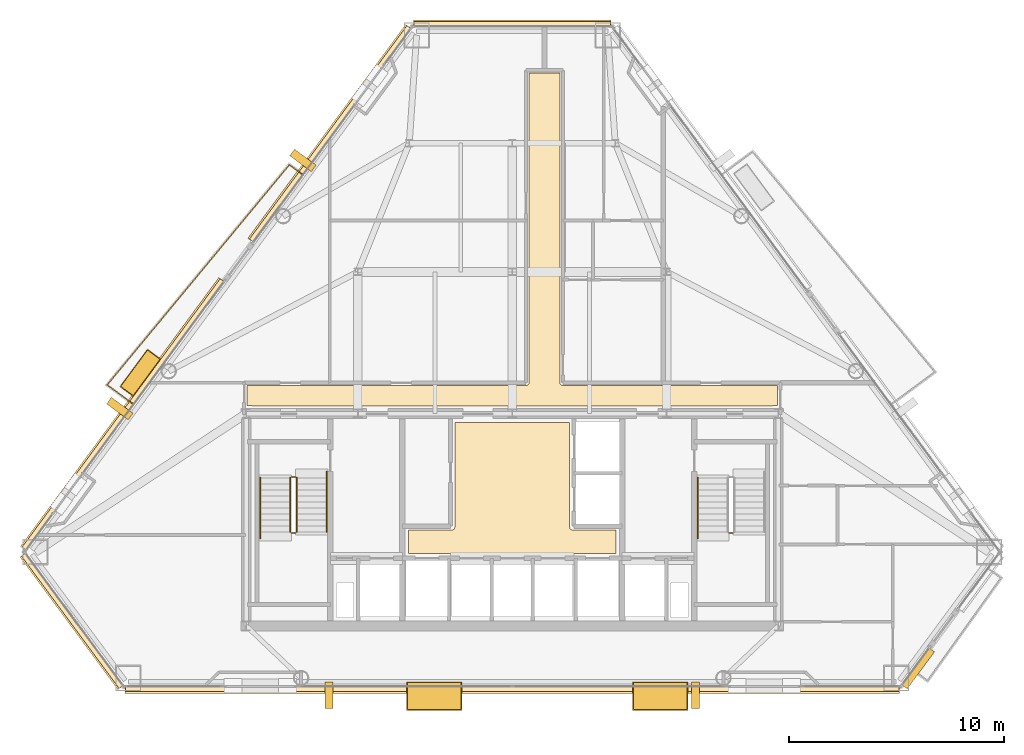
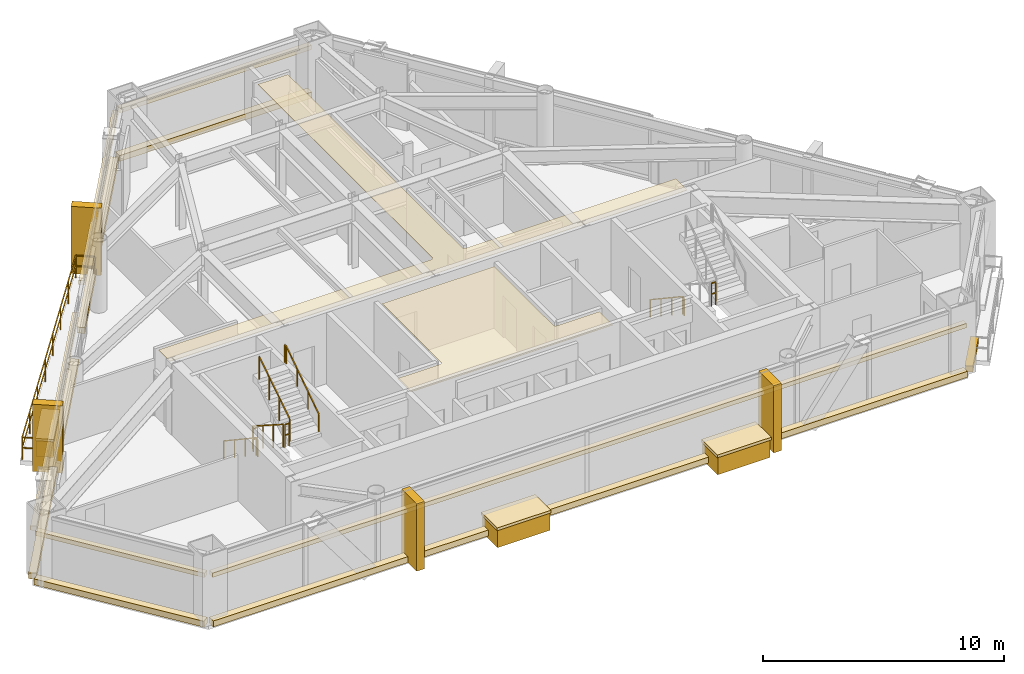
# One storey, part 10 of 11: 23 coverings, 9 railings.
"""IFC4 building model written with IfcOpenShell, lengths in metres."""

from ifc_helpers import new_model, si_unit, direction, frame, origin, origin_2d, place, context, subcontext, project, spatial, polyline, rectangle, outline, extrude, material, layer, layer_set, type_object, element, save


model = new_model("IFC4")

# Units and contexts
model_context = context("Model", 3, precision=1e-05, world=origin(), true_north=direction((0.0, 1.0)))
body_context = subcontext(model_context, "Body", "Model", "MODEL_VIEW")
ifc_project = project(units=[si_unit("LENGTHUNIT", "METRE"), si_unit("AREAUNIT", "SQUARE_METRE"), si_unit("VOLUMEUNIT", "CUBIC_METRE"), si_unit("PLANEANGLEUNIT", "RADIAN"), si_unit("MASSUNIT", "GRAM", prefix="KILO")], contexts=[model_context])

# Site, building, storey
site_placement = place(None, origin())
site = spatial("IfcSite", under=ifc_project, at=site_placement, CompositionType="ELEMENT")
building_placement = place(site_placement, origin())
building = spatial("IfcBuilding", under=site, at=building_placement, Name="Talgorran Terracotta Tower", CompositionType="ELEMENT")
storey_placement = place(building_placement, frame((0.0, 0.0, 161.699951171875)))
storey = spatial("IfcBuildingStorey", under=building, at=storey_placement, Name="L42", CompositionType="ELEMENT", Elevation=161.699951171875)

# Coverings
ifc_material_1 = material(Name="Kiln-Fired Terracotta Ochre Ceramic", Category="masonry")
ifc_layer_1 = layer(ifc_material_1, 0.179931640625, Name="COV_BAGUETTE_TERRACOTTA_SCREEN")
ifc_layer_set_1 = layer_set([ifc_layer_1], Name="Kiln-Fired Terracotta Ochre Ceramic")
covering_type_1 = type_object("IfcCoveringType", Name="COV_BAGUETTE_TERRACOTTA_SCREEN", PredefinedType="CLADDING", material=ifc_layer_set_1)
covering_1_placement = place(storey_placement, frame((-20.49609375, -13.851806640625, 2.41015625), z_axis=(0.0, 0.0, 1.0), x_axis=(0.593784074712, -0.804624429544, 0.0)))
element("IfcCovering", 1, at=covering_1_placement, inside=storey, type_object=covering_type_1, Name="L42 Terracotta Baguette Solar Screen Assembly F0", PredefinedType="CLADDING", context=body_context, shape_type="SweptSolid", body=[
    extrude(rectangle(XDim=7.6591796875, YDim=0.260009765625, at=origin_2d()), origin(), (0.0, 0.0, 1.0), 0.219970703125),
])
covering_2_placement = place(storey_placement, frame((0.0, -17.030029296875, 2.41015625), z_axis=(0.0, 0.0, 1.0), x_axis=(1.0, 0.0, 0.0)))
element("IfcCovering", 2, at=covering_2_placement, inside=storey, type_object=covering_type_1, Name="L42 Terracotta Baguette Solar Screen Assembly F1", PredefinedType="CLADDING", context=body_context, shape_type="SweptSolid", body=[
    extrude(rectangle(XDim=36.060302734375, YDim=0.260009765625, at=origin_2d()), origin(), (0.0, 0.0, 1.0), 0.219970703125),
])
covering_3_placement = place(storey_placement, frame((0.0, 13.9345703125, 2.41015625), z_axis=(0.0, 0.0, 1.0), x_axis=(-1.0, 0.0, 0.0)))
element("IfcCovering", 3, at=covering_3_placement, inside=storey, type_object=covering_type_1, Name="L42 Terracotta Baguette Solar Screen Assembly F4", PredefinedType="CLADDING", context=body_context, shape_type="SweptSolid", body=[
    extrude(rectangle(XDim=9.177978515625, YDim=0.260009765625, at=origin_2d()), origin(), (0.0, 0.0, 1.0), 0.219970703125),
])
covering_4_placement = place(storey_placement, frame((-8.476318359375, 8.830078125, 2.41015625), z_axis=(0.0, 0.0, 1.0), x_axis=(-0.593784074712, -0.804624429544, 0.0)))
element("IfcCovering", 4, at=covering_4_placement, inside=storey, type_object=covering_type_1, Name="L42 Terracotta Baguette Solar Screen Assembly F60", PredefinedType="CLADDING", context=body_context, shape_type="SweptSolid", body=[
    extrude(rectangle(XDim=12.36669921875, YDim=0.260009765625, at=origin_2d()), origin(), (0.0, 0.0, 1.0), 0.219970703125),
])
covering_5_placement = place(storey_placement, frame((-18.1298828125, -4.251220703125, 2.41015625), z_axis=(0.0, 0.0, 1.0), x_axis=(-0.593784074712, -0.804624429544, 0.0)))
element("IfcCovering", 5, at=covering_5_placement, inside=storey, type_object=covering_type_1, Name="L42 Terracotta Baguette Solar Screen Assembly F61", PredefinedType="CLADDING", context=body_context, shape_type="SweptSolid", body=[
    extrude(rectangle(XDim=15.549072265625, YDim=0.260009765625, at=origin_2d()), origin(), (0.0, 0.0, 1.0), 0.219970703125),
])
ifc_material_2 = material(Name="Mineral Fibre Acoustic Tile")
ifc_layer_2 = layer(ifc_material_2, 0.02490234375, Name="COV_CEIL_ACOUSTIC")
ifc_layer_set_2 = layer_set([ifc_layer_2], Name="Mineral Fibre Acoustic Tile")
covering_type_2 = type_object("IfcCoveringType", Name="COV_CEIL_ACOUSTIC", PredefinedType="CEILING", material=ifc_layer_set_2)
covering_6_placement = place(storey_placement, frame((0.0, 0.0, 3.260009765625)))
element("IfcCovering", 6, at=covering_6_placement, inside=storey, type_object=covering_type_2, Name="CEIL-L42-2", PredefinedType="CEILING", context=body_context, shape_type="SweptSolid", body=[
    extrude(outline(polyline([(-12.364990234375, -2.885009765625), (0.64990234375, -2.885009765625), (0.66162109375, -2.884521484375), (0.67333984375, -2.8828125), (0.6845703125, -2.8798828125), (0.69287109375, -2.87744140625), (0.7041015625, -2.87353515625), (0.714599609375, -2.868408203125), (0.724853515625, -2.8623046875), (0.734375, -2.85546875), (0.742919921875, -2.847412109375), (0.7509765625, -2.8388671875), (0.756591796875, -2.83203125), (0.763671875, -2.822509765625), (0.769775390625, -2.8125), (0.774658203125, -2.8017578125), (0.77880859375, -2.79052734375), (0.781494140625, -2.779296875), (0.783203125, -2.767578125), (0.783935546875, -2.755615234375), (0.784912109375, 11.6650390625), (2.215087890625, 11.6650390625), (2.215087890625, -2.75), (2.215576171875, -2.76171875), (2.21728515625, -2.773193359375), (2.22021484375, -2.78466796875), (2.22265625, -2.79296875), (2.2265625, -2.803955078125), (2.231689453125, -2.814697265625), (2.237548828125, -2.82470703125), (2.24462890625, -2.834228515625), (2.25244140625, -2.843017578125), (2.26123046875, -2.850830078125), (2.26806640625, -2.8564453125), (2.277587890625, -2.863525390625), (2.28759765625, -2.86962890625), (2.29833984375, -2.874755859375), (2.309326171875, -2.878662109375), (2.32080078125, -2.881591796875), (2.33251953125, -2.88330078125), (2.34423828125, -2.8837890625), (12.364990234375, -2.885009765625), (12.364990234375, -3.830078125), (12.169921875, -3.830078125), (12.158203125, -3.83056640625), (12.146484375, -3.832275390625), (12.13525390625, -3.835205078125), (12.1240234375, -3.839111328125), (12.11328125, -3.84423828125), (12.112060546875, -3.844970703125), (7.432861328125, -3.844970703125), (6.968017578125, -3.843017578125), (6.967529296875, -3.843017578125), (0.232666015625, -3.844970703125), (-0.23193359375, -3.843017578125), (-0.232421875, -3.843017578125), (-6.96728515625, -3.844970703125), (-7.431884765625, -3.843017578125), (-7.4326171875, -3.843017578125), (-12.112060546875, -3.844970703125), (-12.11328125, -3.84423828125), (-12.1240234375, -3.839111328125), (-12.13525390625, -3.835205078125), (-12.146484375, -3.832275390625), (-12.158203125, -3.83056640625), (-12.169921875, -3.830078125), (-12.364990234375, -3.830078125), (-12.364990234375, -2.885009765625)])), origin(), (0.0, 0.0, 1.0), 0.02001953125),
])
ifc_material_3 = material(Name="Flush Moisture-Resistant Plaster")
ifc_layer_3 = layer(ifc_material_3, 0.01806640625, Name="COV_CEIL_PLASTER")
ifc_layer_set_3 = layer_set([ifc_layer_3], Name="Flush Moisture-Resistant Plaster")
covering_type_3 = type_object("IfcCoveringType", Name="COV_CEIL_PLASTER", PredefinedType="CEILING", material=ifc_layer_set_3)
covering_7_placement = place(storey_placement, frame((0.0, 0.0, 3.260009765625)))
element("IfcCovering", 7, at=covering_7_placement, inside=storey, type_object=covering_type_3, Name="CEIL-L42-1", PredefinedType="CEILING", context=body_context, shape_type="SweptSolid", body=[
    extrude(outline(polyline([(-4.830078125, -9.6201171875), (-2.800048828125, -9.6201171875), (-2.7880859375, -9.619384765625), (-2.776611328125, -9.61767578125), (-2.76513671875, -9.61474609375), (-2.754150390625, -9.61083984375), (-2.743408203125, -9.605712890625), (-2.7333984375, -9.599853515625), (-2.723876953125, -9.5927734375), (-2.715087890625, -9.5849609375), (-2.707275390625, -9.576171875), (-2.7001953125, -9.566650390625), (-2.694091796875, -9.556640625), (-2.689208984375, -9.5458984375), (-2.685302734375, -9.534912109375), (-2.682373046875, -9.5234375), (-2.6806640625, -9.51171875), (-2.679931640625, -9.5), (-2.679931640625, -4.6201171875), (2.679931640625, -4.6201171875), (2.679931640625, -9.5), (2.6806640625, -9.51171875), (2.682373046875, -9.5234375), (2.685302734375, -9.534912109375), (2.689208984375, -9.5458984375), (2.694091796875, -9.556640625), (2.7001953125, -9.566650390625), (2.707275390625, -9.576171875), (2.715087890625, -9.5849609375), (2.723876953125, -9.5927734375), (2.7333984375, -9.599853515625), (2.743408203125, -9.605712890625), (2.754150390625, -9.61083984375), (2.76513671875, -9.61474609375), (2.776611328125, -9.61767578125), (2.7880859375, -9.619384765625), (2.800048828125, -9.6201171875), (4.830078125, -9.6201171875), (4.830078125, -10.72998046875), (-4.830078125, -10.72998046875), (-4.830078125, -9.6201171875)])), origin(), (0.0, 0.0, 1.0), 0.02001953125),
])
ifc_material_4 = material(Name="Honed Limestone and Terracotta Planter", Category="masonry")
ifc_layer_4 = layer(ifc_material_4, 0.1201171875, Name="COV_PLANTER_BOX")
ifc_layer_set_4 = layer_set([ifc_layer_4], Name="Honed Limestone and Terracotta Planter")
covering_type_4 = type_object("IfcCoveringType", Name="COV_PLANTER_BOX", PredefinedType="CLADDING", material=ifc_layer_set_4)
for number, where, z_axis, x_axis, name in (
    (8, (6.901123046875, -17.3701171875, -0.179931640625), (0.0, 0.0, 1.0), (1.0, 0.0, 0.0), "L42 Staggered South Facade Planter Box 1"),
    (9, (-3.632080078125, -17.3701171875, -0.179931640625), (0.0, 0.0, 1.0), (1.0, 0.0, 0.0), "L42 Staggered South Facade Planter Box 2"),
):
    element("IfcCovering", number, at=place(storey_placement, frame(where, z_axis=z_axis, x_axis=x_axis)), inside=storey, type_object=covering_type_4, Name=name, PredefinedType="CLADDING", context=body_context, shape_type="SweptSolid", body=[
        extrude(rectangle(XDim=2.5, YDim=1.25, at=origin_2d()), origin(), (0.0, 0.0, 1.0), 0.919921875),
    ])
covering_8_placement = place(storey_placement, frame((-17.3359375, -2.301025390625, -0.02001953125), z_axis=(0.0, 0.0, 1.0), x_axis=(-0.593784074712, -0.804624429544, 0.0)))
element("IfcCovering", 10, at=covering_8_placement, inside=storey, type_object=covering_type_4, Name="L42 Staggered Balcony Planter Box BAL-NW", PredefinedType="CLADDING", context=body_context, shape_type="SweptSolid", body=[
    extrude(rectangle(XDim=2.10009765625, YDim=0.719970703125, at=origin_2d()), origin(), (0.0, 0.0, 1.0), 0.860107421875),
])
ifc_material_5 = material(Name="Kiln-Fired Terracotta Planter Rim", Category="masonry")
ifc_layer_5 = layer(ifc_material_5, 0.10009765625, Name="COV_PLANTER_RIM")
ifc_layer_set_5 = layer_set([ifc_layer_5], Name="Kiln-Fired Terracotta Planter Rim")
covering_type_5 = type_object("IfcCoveringType", Name="COV_PLANTER_RIM", PredefinedType="CLADDING", material=ifc_layer_set_5)
for number, where, z_axis, x_axis, name in (
    (11, (6.901123046875, -17.3701171875, 0.7099609375), (0.0, 0.0, 1.0), (1.0, 0.0, 0.0), "L42 South Planter Terracotta Rim 1"),
    (12, (-3.632080078125, -17.3701171875, 0.7099609375), (0.0, 0.0, 1.0), (1.0, 0.0, 0.0), "L42 South Planter Terracotta Rim 2"),
):
    element("IfcCovering", number, at=place(storey_placement, frame(where, z_axis=z_axis, x_axis=x_axis)), inside=storey, type_object=covering_type_5, Name=name, PredefinedType="CLADDING", context=body_context, shape_type="SweptSolid", body=[
        extrude(rectangle(XDim=2.580078125, YDim=1.320068359375, at=origin_2d()), origin(), (0.0, 0.0, 1.0), 0.139892578125),
    ])
covering_9_placement = place(storey_placement, frame((-17.3359375, -2.301025390625, 0.800048828125), z_axis=(0.0, 0.0, 1.0), x_axis=(-0.593784074712, -0.804624429544, 0.0)))
element("IfcCovering", 13, at=covering_9_placement, inside=storey, type_object=covering_type_5, Name="L42 Balcony Planter Terracotta Rim BAL-NW", PredefinedType="CLADDING", context=body_context, shape_type="SweptSolid", body=[
    extrude(rectangle(XDim=2.179931640625, YDim=0.780029296875, at=origin_2d()), origin(), (0.0, 0.0, 1.0), 0.1201171875),
])
ifc_material_6 = material(Name="Honed Limestone Cladding", Category="masonry")
ifc_layer_6 = layer(ifc_material_6, 0.094970703125, Name="COV_PORTAL_LIME")
ifc_layer_set_6 = layer_set([ifc_layer_6], Name="Honed Limestone Cladding")
covering_type_6 = type_object("IfcCoveringType", Name="COV_PORTAL_LIME", PredefinedType="CLADDING", material=ifc_layer_set_6)
covering_10_placement = place(storey_placement, frame((-20.5283203125, -13.87548828125, -0.0400390625), z_axis=(0.0, 0.0, 1.0), x_axis=(0.593784074712, -0.804624429544, 0.0)))
element("IfcCovering", 14, at=covering_10_placement, inside=storey, type_object=covering_type_6, Name="L42 Striped Postmodern Portal Cladding Band F0", PredefinedType="CLADDING", context=body_context, shape_type="SweptSolid", body=[
    extrude(rectangle(XDim=7.67919921875, YDim=0.340087890625, at=origin_2d()), origin(), (0.0, 0.0, 1.0), 0.300048828125),
])
covering_11_placement = place(storey_placement, frame((0.0, -17.070068359375, -0.0400390625), z_axis=(0.0, 0.0, 1.0), x_axis=(1.0, 0.0, 0.0)))
element("IfcCovering", 15, at=covering_11_placement, inside=storey, type_object=covering_type_6, Name="L42 Striped Postmodern Portal Cladding Band F1", PredefinedType="CLADDING", context=body_context, shape_type="SweptSolid", body=[
    extrude(rectangle(XDim=36.080322265625, YDim=0.340087890625, at=origin_2d()), origin(), (0.0, 0.0, 1.0), 0.300048828125),
])
covering_12_placement = place(storey_placement, frame((18.9091796875, -16.069580078125, -0.0400390625), z_axis=(0.0, 0.0, 1.0), x_axis=(0.593770031276, 0.804634792909, 0.0)))
element("IfcCovering", 16, at=covering_12_placement, inside=storey, type_object=covering_type_6, Name="L42 Striped Postmodern Portal Cladding Band F30", PredefinedType="CLADDING", context=body_context, shape_type="SweptSolid", body=[
    extrude(rectangle(XDim=2.14501953125, YDim=0.340087890625, at=origin_2d()), origin(), (0.0, 0.0, 1.0), 0.300048828125),
])
covering_13_placement = place(storey_placement, frame((0.0, 13.974609375, -0.0400390625), z_axis=(0.0, 0.0, 1.0), x_axis=(-1.0, 0.0, 0.0)))
element("IfcCovering", 17, at=covering_13_placement, inside=storey, type_object=covering_type_6, Name="L42 Striped Postmodern Portal Cladding Band F4", PredefinedType="CLADDING", context=body_context, shape_type="SweptSolid", body=[
    extrude(rectangle(XDim=9.197998046875, YDim=0.340087890625, at=origin_2d()), origin(), (0.0, 0.0, 1.0), 0.300048828125),
])
covering_14_placement = place(storey_placement, frame((-8.508544921875, 8.85400390625, -0.0400390625), z_axis=(0.0, 0.0, 1.0), x_axis=(-0.593784074712, -0.804624429544, 0.0)))
element("IfcCovering", 18, at=covering_14_placement, inside=storey, type_object=covering_type_6, Name="L42 Striped Postmodern Portal Cladding Band F60", PredefinedType="CLADDING", context=body_context, shape_type="SweptSolid", body=[
    extrude(rectangle(XDim=12.38671875, YDim=0.340087890625, at=origin_2d()), origin(), (0.0, 0.0, 1.0), 0.300048828125),
])
covering_15_placement = place(storey_placement, frame((-18.162109375, -4.227294921875, -0.0400390625), z_axis=(0.0, 0.0, 1.0), x_axis=(-0.593784074712, -0.804624429544, 0.0)))
element("IfcCovering", 19, at=covering_15_placement, inside=storey, type_object=covering_type_6, Name="L42 Striped Postmodern Portal Cladding Band F61", PredefinedType="CLADDING", context=body_context, shape_type="SweptSolid", body=[
    extrude(rectangle(XDim=15.569091796875, YDim=0.340087890625, at=origin_2d()), origin(), (0.0, 0.0, 1.0), 0.300048828125),
])
for number, where, z_axis, x_axis, name in (
    (20, (8.53564453125, -17.330078125, -0.0498046875), (0.0, 0.0, 1.0), (1.0, 0.0, 0.0), "L42 White Striped Portal Fin F1-2"),
    (21, (-18.293212890625, -3.966796875, -0.0498046875), (0.0, 0.0, 1.0), (-0.593784074712, -0.804624429544, 0.0), "L42 White Striped Portal Fin F5-2"),
):
    element("IfcCovering", number, at=place(storey_placement, frame(where, z_axis=z_axis, x_axis=x_axis)), inside=storey, type_object=covering_type_6, Name=name, PredefinedType="CLADDING", context=body_context, shape_type="SweptSolid", body=[
        extrude(rectangle(XDim=0.3798828125, YDim=1.25, at=origin_2d()), origin(), (0.0, 0.0, 1.0), 3.39990234375),
    ])
ifc_material_7 = material(Name="Kiln-Fired Terracotta Cladding", Category="masonry")
ifc_layer_7 = layer(ifc_material_7, 0.090087890625, Name="COV_PORTAL_TERRA")
ifc_layer_set_7 = layer_set([ifc_layer_7], Name="Kiln-Fired Terracotta Cladding")
covering_type_7 = type_object("IfcCoveringType", Name="COV_PORTAL_TERRA", PredefinedType="CLADDING", material=ifc_layer_set_7)
for number, where, z_axis, x_axis, name in (
    (22, (-8.53564453125, -17.330078125, -0.0498046875), (0.0, 0.0, 1.0), (1.0, 0.0, 0.0), "L42 Terracotta Striped Portal Fin F1-1"),
    (23, (-9.757568359375, 7.599365234375, -0.0498046875), (0.0, 0.0, 1.0), (-0.593784074712, -0.804624429544, 0.0), "L42 Terracotta Striped Portal Fin F5-1"),
):
    element("IfcCovering", number, at=place(storey_placement, frame(where, z_axis=z_axis, x_axis=x_axis)), inside=storey, type_object=covering_type_7, Name=name, PredefinedType="CLADDING", context=body_context, shape_type="SweptSolid", body=[
        extrude(rectangle(XDim=0.3798828125, YDim=1.25, at=origin_2d()), origin(), (0.0, 0.0, 1.0), 3.39990234375),
    ])

# Railings
ifc_material_8 = material(Name="Laminated Glass and Stainless Steel 316", Category="steel")
railing_type_1 = type_object("IfcRailingType", Name="RL_BALCONY_1150", PredefinedType="BALUSTRADE", material=ifc_material_8)
railing_1_placement = place(storey_placement, frame((-9.771728515625, 6.940185546875, 0.0)))
element("IfcRailing", 24, at=railing_1_placement, inside=storey, type_object=railing_type_1, Name="RL-L42-BAL-BAL-NW", PredefinedType="BALUSTRADE", context=body_context, shape_type="SweptSolid", body=[
    extrude(rectangle(XDim=0.048095703125, YDim=0.048095703125, at=origin_2d()), frame((0.0, 0.0, 1.1259765625), z_axis=(-0.804512650758, 0.593935513983, 0.0), x_axis=(-0.593935513983, -0.804512650758, 0.0)), (0.0, 0.0, 1.0), 0.7685546875),
    extrude(rectangle(XDim=0.048095703125, YDim=0.048095703125, at=origin_2d()), frame((0.0, 0.0, 0.597900390625), z_axis=(-0.804512650758, 0.593935513983, 0.0), x_axis=(-0.593935513983, -0.804512650758, 0.0)), (0.0, 0.0, 1.0), 0.7685546875),
    extrude(rectangle(XDim=0.048095703125, YDim=0.048095703125, at=origin_2d()), frame((-0.618408203125, 0.45654296875, 1.1259765625), z_axis=(-0.63761498469, -0.770355198138, 0.0), x_axis=(0.770355198138, -0.63761498469, 0.0)), (0.0, 0.0, 1.0), 13.31787109375),
    extrude(rectangle(XDim=0.048095703125, YDim=0.048095703125, at=origin_2d()), frame((-0.618408203125, 0.45654296875, 0.597900390625), z_axis=(-0.63761498469, -0.770355198138, 0.0), x_axis=(0.770355198138, -0.63761498469, 0.0)), (0.0, 0.0, 1.0), 13.31787109375),
    extrude(rectangle(XDim=0.048095703125, YDim=0.048095703125, at=origin_2d()), frame((-9.110107421875, -9.802978515625, 1.1259765625), z_axis=(0.804596161548, -0.593822378175, 0.0), x_axis=(0.593822378175, 0.804596161548, 0.0)), (0.0, 0.0, 1.0), 1.50927734375),
    extrude(rectangle(XDim=0.048095703125, YDim=0.048095703125, at=origin_2d()), frame((-9.110107421875, -9.802978515625, 0.597900390625), z_axis=(0.804596161548, -0.593822378175, 0.0), x_axis=(0.593822378175, 0.804596161548, 0.0)), (0.0, 0.0, 1.0), 1.50927734375),
    extrude(rectangle(XDim=0.0419921875, YDim=0.0419921875, at=origin_2d()), origin(), (0.0, 0.0, 1.0), 1.101806640625),
    extrude(rectangle(XDim=0.0419921875, YDim=0.0419921875, at=origin_2d()), frame((-0.618408203125, 0.45654296875, 0.0)), (0.0, 0.0, 1.0), 1.101806640625),
    extrude(rectangle(XDim=0.0419921875, YDim=0.0419921875, at=origin_2d()), frame((-1.83154296875, -1.009033203125, 0.0)), (0.0, 0.0, 1.0), 1.101806640625),
    extrude(rectangle(XDim=0.0419921875, YDim=0.0419921875, at=origin_2d()), frame((-3.044677734375, -2.474853515625, 0.0)), (0.0, 0.0, 1.0), 1.101806640625),
    extrude(rectangle(XDim=0.0419921875, YDim=0.0419921875, at=origin_2d()), frame((-4.2578125, -3.9404296875, 0.0)), (0.0, 0.0, 1.0), 1.101806640625),
    extrude(rectangle(XDim=0.0419921875, YDim=0.0419921875, at=origin_2d()), frame((-5.470703125, -5.406005859375, 0.0)), (0.0, 0.0, 1.0), 1.101806640625),
    extrude(rectangle(XDim=0.0419921875, YDim=0.0419921875, at=origin_2d()), frame((-6.683837890625, -6.87158203125, 0.0)), (0.0, 0.0, 1.0), 1.101806640625),
    extrude(rectangle(XDim=0.0419921875, YDim=0.0419921875, at=origin_2d()), frame((-7.89697265625, -8.33740234375, 0.0)), (0.0, 0.0, 1.0), 1.101806640625),
    extrude(rectangle(XDim=0.0419921875, YDim=0.0419921875, at=origin_2d()), frame((-9.110107421875, -9.802978515625, 0.0)), (0.0, 0.0, 1.0), 1.101806640625),
    extrude(rectangle(XDim=0.0419921875, YDim=0.0419921875, at=origin_2d()), frame((-7.895751953125, -10.69921875, 0.0)), (0.0, 0.0, 1.0), 1.101806640625),
])
ifc_material_9 = material(Name="Steel S355 (300PLUS)", Category="steel")
railing_type_2 = type_object("IfcRailingType", Name="RL_HANDRAIL_920", PredefinedType="HANDRAIL", material=ifc_material_9)
railing_2_placement = place(storey_placement, frame((-11.75, -7.199951171875, 0.179931640625)))
element("IfcRailing", 25, at=railing_2_placement, inside=storey, type_object=railing_type_2, Name="L42 ST-01 stair handrail 1", PredefinedType="HANDRAIL", context=body_context, shape_type="SweptSolid", body=[
    extrude(rectangle(XDim=0.048095703125, YDim=0.048095703125, at=origin_2d()), frame((0.0, 0.0, 0.89599609375), z_axis=(0.0, -0.832038719335, 0.554717558338), x_axis=(1.0, 0.0, 0.0)), (0.0, 0.0, 1.0), 3.244873046875),
    extrude(rectangle(XDim=0.048095703125, YDim=0.048095703125, at=origin_2d()), frame((0.0, -2.699951171875, 2.69580078125), z_axis=(0.0, -1.0, 0.0), x_axis=(1.0, 0.0, 0.0)), (0.0, 0.0, 1.0), 0.1201171875),
    extrude(rectangle(XDim=0.0419921875, YDim=0.0419921875, at=origin_2d()), origin(), (0.0, 0.0, 1.0), 0.871826171875),
    extrude(rectangle(XDim=0.0419921875, YDim=0.0419921875, at=origin_2d()), frame((0.0, -0.89990234375, 0.60009765625)), (0.0, 0.0, 1.0), 0.871826171875),
    extrude(rectangle(XDim=0.0419921875, YDim=0.0419921875, at=origin_2d()), frame((0.0, -1.800048828125, 1.199951171875)), (0.0, 0.0, 1.0), 0.871826171875),
    extrude(rectangle(XDim=0.0419921875, YDim=0.0419921875, at=origin_2d()), frame((0.0, -2.699951171875, 1.800048828125)), (0.0, 0.0, 1.0), 0.871826171875),
    extrude(rectangle(XDim=0.0419921875, YDim=0.0419921875, at=origin_2d()), frame((0.0, -2.820068359375, 1.800048828125)), (0.0, 0.0, 1.0), 0.871826171875),
])
railing_3_placement = place(storey_placement, frame((-8.64990234375, -9.719970703125, 1.97998046875)))
element("IfcRailing", 26, at=railing_3_placement, inside=storey, type_object=railing_type_2, Name="L42 ST-01 stair handrail 2", PredefinedType="HANDRAIL", context=body_context, shape_type="SweptSolid", body=[
    extrude(rectangle(XDim=0.048095703125, YDim=0.048095703125, at=origin_2d()), frame((0.0, 0.0, 0.89599609375), z_axis=(0.0, 0.832038719335, 0.554717558338), x_axis=(-1.0, 0.0, 0.0)), (0.0, 0.0, 1.0), 3.244873046875),
    extrude(rectangle(XDim=0.048095703125, YDim=0.048095703125, at=origin_2d()), frame((0.0, 2.699951171875, 2.69580078125), z_axis=(0.0, 1.0, 0.0), x_axis=(-1.0, 0.0, 0.0)), (0.0, 0.0, 1.0), 0.1201171875),
    extrude(rectangle(XDim=0.0419921875, YDim=0.0419921875, at=origin_2d()), origin(), (0.0, 0.0, 1.0), 0.871826171875),
    extrude(rectangle(XDim=0.0419921875, YDim=0.0419921875, at=origin_2d()), frame((0.0, 0.89990234375, 0.60009765625)), (0.0, 0.0, 1.0), 0.871826171875),
    extrude(rectangle(XDim=0.0419921875, YDim=0.0419921875, at=origin_2d()), frame((0.0, 1.800048828125, 1.199951171875)), (0.0, 0.0, 1.0), 0.871826171875),
    extrude(rectangle(XDim=0.0419921875, YDim=0.0419921875, at=origin_2d()), frame((0.0, 2.699951171875, 1.800048828125)), (0.0, 0.0, 1.0), 0.871826171875),
    extrude(rectangle(XDim=0.0419921875, YDim=0.0419921875, at=origin_2d()), frame((0.0, 2.820068359375, 1.800048828125)), (0.0, 0.0, 1.0), 0.871826171875),
])
railing_4_placement = place(storey_placement, frame((8.64990234375, -7.199951171875, 0.179931640625)))
element("IfcRailing", 27, at=railing_4_placement, inside=storey, type_object=railing_type_2, Name="L42 ST-02 stair handrail 1", PredefinedType="HANDRAIL", context=body_context, shape_type="SweptSolid", body=[
    extrude(rectangle(XDim=0.048095703125, YDim=0.048095703125, at=origin_2d()), frame((0.0, 0.0, 0.89599609375), z_axis=(0.0, -0.832038719335, 0.554717558338), x_axis=(1.0, 0.0, 0.0)), (0.0, 0.0, 1.0), 3.244873046875),
    extrude(rectangle(XDim=0.048095703125, YDim=0.048095703125, at=origin_2d()), frame((0.0, -2.699951171875, 2.69580078125), z_axis=(0.0, -1.0, 0.0), x_axis=(1.0, 0.0, 0.0)), (0.0, 0.0, 1.0), 0.1201171875),
    extrude(rectangle(XDim=0.0419921875, YDim=0.0419921875, at=origin_2d()), origin(), (0.0, 0.0, 1.0), 0.871826171875),
    extrude(rectangle(XDim=0.0419921875, YDim=0.0419921875, at=origin_2d()), frame((0.0, -0.89990234375, 0.60009765625)), (0.0, 0.0, 1.0), 0.871826171875),
    extrude(rectangle(XDim=0.0419921875, YDim=0.0419921875, at=origin_2d()), frame((0.0, -1.800048828125, 1.199951171875)), (0.0, 0.0, 1.0), 0.871826171875),
    extrude(rectangle(XDim=0.0419921875, YDim=0.0419921875, at=origin_2d()), frame((0.0, -2.699951171875, 1.800048828125)), (0.0, 0.0, 1.0), 0.871826171875),
    extrude(rectangle(XDim=0.0419921875, YDim=0.0419921875, at=origin_2d()), frame((0.0, -2.820068359375, 1.800048828125)), (0.0, 0.0, 1.0), 0.871826171875),
])
railing_type_3 = type_object("IfcRailingType", Name="RL_STAIR_GUARD", PredefinedType="GUARDRAIL", material=ifc_material_9)
railing_5_placement = place(storey_placement, frame((-10.35009765625, -7.199951171875, 0.179931640625)))
element("IfcRailing", 28, at=railing_5_placement, inside=storey, type_object=railing_type_3, Name="L42 ST-01 stair guard 1", PredefinedType="GUARDRAIL", context=body_context, shape_type="SweptSolid", body=[
    extrude(rectangle(XDim=0.048095703125, YDim=0.048095703125, at=origin_2d()), frame((0.0, 0.0, 1.15576171875), z_axis=(0.0, -0.841162588446, 0.540782303519), x_axis=(1.0, 0.0, 0.0)), (0.0, 0.0, 1.0), 2.995849609375),
    extrude(rectangle(XDim=0.0419921875, YDim=0.0419921875, at=origin_2d()), origin(), (0.0, 0.0, 1.0), 1.1318359375),
    extrude(rectangle(XDim=0.0419921875, YDim=0.0419921875, at=origin_2d()), frame((0.0, -0.840087890625, 0.5400390625)), (0.0, 0.0, 1.0), 1.1318359375),
    extrude(rectangle(XDim=0.0419921875, YDim=0.0419921875, at=origin_2d()), frame((0.0, -1.679931640625, 1.080078125)), (0.0, 0.0, 1.0), 1.1318359375),
    extrude(rectangle(XDim=0.0419921875, YDim=0.0419921875, at=origin_2d()), frame((0.0, -2.52001953125, 1.6201171875)), (0.0, 0.0, 1.0), 1.1318359375),
])
railing_6_placement = place(storey_placement, frame((-10.300048828125, -9.77001953125, 1.800048828125)))
element("IfcRailing", 29, at=railing_6_placement, inside=storey, type_object=railing_type_3, Name="L42 ST-01 stair guard 2", PredefinedType="GUARDRAIL", context=body_context, shape_type="SweptSolid", body=[
    extrude(rectangle(XDim=0.048095703125, YDim=0.048095703125, at=origin_2d()), frame((0.0, 0.0, 1.15576171875), z_axis=(1.0, 0.0, 0.0), x_axis=(0.0, 1.0, 0.0)), (0.0, 0.0, 1.0), 0.199951171875),
    extrude(rectangle(XDim=0.048095703125, YDim=0.048095703125, at=origin_2d()), frame((0.0, 0.0, 0.613525390625), z_axis=(1.0, 0.0, 0.0), x_axis=(0.0, 1.0, 0.0)), (0.0, 0.0, 1.0), 0.199951171875),
    extrude(rectangle(XDim=0.0419921875, YDim=0.0419921875, at=origin_2d()), origin(), (0.0, 0.0, 1.0), 1.1318359375),
    extrude(rectangle(XDim=0.0419921875, YDim=0.0419921875, at=origin_2d()), frame((0.199951171875, 0.0, 0.0)), (0.0, 0.0, 1.0), 1.1318359375),
])
railing_7_placement = place(storey_placement, frame((-10.050048828125, -9.719970703125, 1.97998046875)))
element("IfcRailing", 30, at=railing_7_placement, inside=storey, type_object=railing_type_3, Name="L42 ST-01 stair guard 3", PredefinedType="GUARDRAIL", context=body_context, shape_type="SweptSolid", body=[
    extrude(rectangle(XDim=0.048095703125, YDim=0.048095703125, at=origin_2d()), frame((0.0, 0.0, 1.15576171875), z_axis=(0.0, 0.841162588446, 0.540782303519), x_axis=(-1.0, 0.0, 0.0)), (0.0, 0.0, 1.0), 2.995849609375),
    extrude(rectangle(XDim=0.0419921875, YDim=0.0419921875, at=origin_2d()), origin(), (0.0, 0.0, 1.0), 1.1318359375),
    extrude(rectangle(XDim=0.0419921875, YDim=0.0419921875, at=origin_2d()), frame((0.0, 0.840087890625, 0.5400390625)), (0.0, 0.0, 1.0), 1.1318359375),
    extrude(rectangle(XDim=0.0419921875, YDim=0.0419921875, at=origin_2d()), frame((0.0, 1.679931640625, 1.080078125)), (0.0, 0.0, 1.0), 1.1318359375),
    extrude(rectangle(XDim=0.0419921875, YDim=0.0419921875, at=origin_2d()), frame((0.0, 2.52001953125, 1.6201171875)), (0.0, 0.0, 1.0), 1.1318359375),
])
for number, where, name in (
    (31, (-10.300048828125, -7.14990234375, 0.0), "L42 ST-01 stair guard 4"),
    (32, (10.10009765625, -9.77001953125, 1.800048828125), "L42 ST-02 stair guard 2"),
):
    element("IfcRailing", number, at=place(storey_placement, frame(where)), inside=storey, type_object=railing_type_3, Name=name, PredefinedType="GUARDRAIL", context=body_context, shape_type="SweptSolid", body=[
        extrude(rectangle(XDim=0.048095703125, YDim=0.048095703125, at=origin_2d()), frame((0.0, 0.0, 1.15576171875), z_axis=(1.0, 0.0, 0.0), x_axis=(0.0, 1.0, 0.0)), (0.0, 0.0, 1.0), 0.199951171875),
        extrude(rectangle(XDim=0.048095703125, YDim=0.048095703125, at=origin_2d()), frame((0.0, 0.0, 0.613525390625), z_axis=(1.0, 0.0, 0.0), x_axis=(0.0, 1.0, 0.0)), (0.0, 0.0, 1.0), 0.199951171875),
        extrude(rectangle(XDim=0.0419921875, YDim=0.0419921875, at=origin_2d()), origin(), (0.0, 0.0, 1.0), 1.1318359375),
        extrude(rectangle(XDim=0.0419921875, YDim=0.0419921875, at=origin_2d()), frame((0.199951171875, 0.0, 0.0)), (0.0, 0.0, 1.0), 1.1318359375),
    ])

save(model, "model.ifc")
